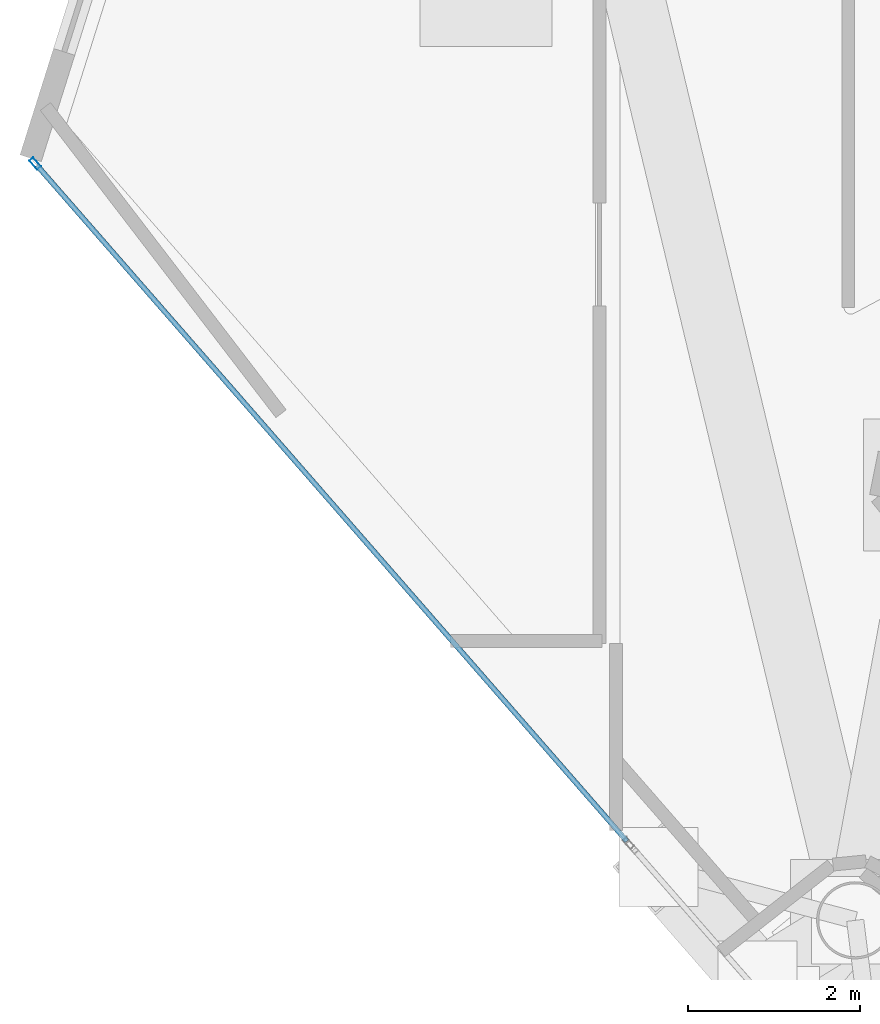
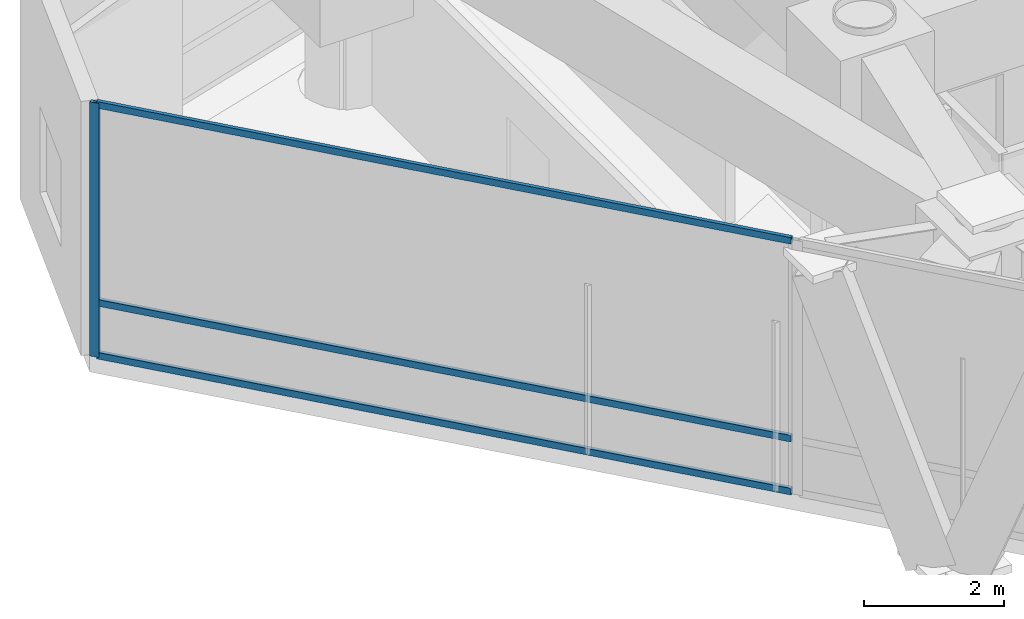
# One storey, part 7 of 20: 4 members, 1 element without a shape of its own.
"""IFC4 building model written with IfcOpenShell, lengths in metres."""

from ifc_helpers import new_model, si_unit, direction, frame, origin, origin_2d, place, context, subcontext, project, spatial, hollow_rectangle, extrude, material, layer, layer_set, material_profile, profile_set, type_object, element, aggregate, save


model = new_model("IFC4")

# Units and contexts
model_context = context("Model", 3, precision=1e-05, world=origin(), true_north=direction((0.0, 1.0)))
body_context = subcontext(model_context, "Body", "Model", "MODEL_VIEW")
ifc_project = project(units=[si_unit("LENGTHUNIT", "METRE"), si_unit("AREAUNIT", "SQUARE_METRE"), si_unit("VOLUMEUNIT", "CUBIC_METRE"), si_unit("PLANEANGLEUNIT", "RADIAN"), si_unit("MASSUNIT", "GRAM", prefix="KILO")], contexts=[model_context])

# Site, building, storey
site_placement = place(None, origin())
site = spatial("IfcSite", under=ifc_project, at=site_placement, CompositionType="ELEMENT")
building_placement = place(site_placement, origin())
building = spatial("IfcBuilding", under=site, at=building_placement, Name="Qianvela Tower", CompositionType="ELEMENT")
storey_placement = place(building_placement, frame((0.0, 0.0, 321.300048828125)))
storey = spatial("IfcBuildingStorey", under=building, at=storey_placement, Name="L83", CompositionType="ELEMENT", Elevation=321.300048828125)

# Curtain wall, members
ifc_material_1 = material(Name="Anodised Architectural Aluminium and Low-E Glass", Category="aluminium")
ifc_layer = layer(ifc_material_1, 0.14990234375)
ifc_layer_set = layer_set([ifc_layer], Name="Anodised Architectural Aluminium and Low-E Glass")
curtain_wall_type = type_object("IfcCurtainWallType", Name="CW-COLIV-Z78", PredefinedType="USERDEFINED", material=ifc_layer_set)
curtain_wall_placement = place(storey_placement, origin())
curtain_wall = element("IfcCurtainWall", 1, at=curtain_wall_placement, inside=storey, type_object=curtain_wall_type, Name="L83 CW-COLIV-Z78 Curtain Wall 04A", ObjectType="CURTAIN_WALL_SYSTEM", PredefinedType="USERDEFINED")
ifc_material_2 = material(Name="Anodised Architectural Aluminium 6063-T6", Category="aluminium")
ifc_material_profile_1 = material_profile(ifc_material_2, hollow_rectangle(XDim=0.06005859375, YDim=0.139892578125, WallThickness=0.00439453125, at=origin_2d()), Name="ALU-MULL-60x140")
ifc_profile_set_1 = profile_set([ifc_material_profile_1], Name="Anodised Architectural Aluminium 6063-T6")
member_type_1 = type_object("IfcMemberType", Name="CW-COLIV-Z78-MULL", PredefinedType="MULLION", material=ifc_profile_set_1)
member_1_placement = place(storey_placement, frame((18.109375, 27.59912109375, 0.0), z_axis=(0.0, 0.0, 1.0), x_axis=(0.753331511367, 0.657640961301, 0.0)))
member_1 = element("IfcMember", 2, at=member_1_placement, type_object=member_type_1, Name="CW-6 mullion 1", PredefinedType="MULLION", context=body_context, shape_type="SweptSolid", body=[
    extrude(hollow_rectangle(XDim=0.06005859375, YDim=0.139892578125, WallThickness=0.00439453125, at=origin_2d()), origin(), (0.0, 0.0, 1.0), 4.419921875),
])
ifc_material_3 = material(Name="Anodised Architectural Aluminium 6063-T6", Category="aluminium")
ifc_material_profile_2 = material_profile(ifc_material_3, hollow_rectangle(XDim=0.06005859375, YDim=0.114990234375, WallThickness=0.00390625, at=origin_2d()), Name="ALU-TRAN-60x115")
ifc_profile_set_2 = profile_set([ifc_material_profile_2], Name="Anodised Architectural Aluminium 6063-T6")
member_type_2 = type_object("IfcMemberType", Name="CW-COLIV-Z78-TRAN", PredefinedType="USERDEFINED", material=ifc_profile_set_2)
member_2_placement = place(storey_placement, frame((18.129150390625, 27.57666015625, 0.030029296875), z_axis=(0.657638306211, -0.753333829191, 0.0), x_axis=(0.753333829191, 0.657638306211, 0.0)))
member_2 = element("IfcMember", 3, at=member_2_placement, type_object=member_type_2, Name="CW-6 transom 1.1", ObjectType="TRANSOM", PredefinedType="USERDEFINED", context=body_context, shape_type="SweptSolid", body=[
    extrude(hollow_rectangle(XDim=0.06005859375, YDim=0.114990234375, WallThickness=0.00390625, at=origin_2d()), origin(), (0.0, 0.0, 1.0), 10.4599609375),
])
member_3_placement = place(storey_placement, frame((18.129150390625, 27.57666015625, 0.949951171875), z_axis=(0.657638306211, -0.753333829191, 0.0), x_axis=(0.753333829191, 0.657638306211, 0.0)))
member_3 = element("IfcMember", 4, at=member_3_placement, type_object=member_type_2, Name="CW-6 transom 1.2", ObjectType="TRANSOM", PredefinedType="USERDEFINED", context=body_context, shape_type="SweptSolid", body=[
    extrude(hollow_rectangle(XDim=0.06005859375, YDim=0.114990234375, WallThickness=0.00390625, at=origin_2d()), origin(), (0.0, 0.0, 1.0), 10.4599609375),
])
member_4_placement = place(storey_placement, frame((18.129150390625, 27.57666015625, 4.389892578125), z_axis=(0.657638306211, -0.753333829191, 0.0), x_axis=(0.753333829191, 0.657638306211, 0.0)))
member_4 = element("IfcMember", 5, at=member_4_placement, type_object=member_type_2, Name="CW-6 transom 1.3", ObjectType="TRANSOM", PredefinedType="USERDEFINED", context=body_context, shape_type="SweptSolid", body=[
    extrude(hollow_rectangle(XDim=0.06005859375, YDim=0.114990234375, WallThickness=0.00390625, at=origin_2d()), origin(), (0.0, 0.0, 1.0), 10.4599609375),
])
aggregate(curtain_wall, [member_1, member_2, member_3, member_4])

save(model, "model.ifc")
